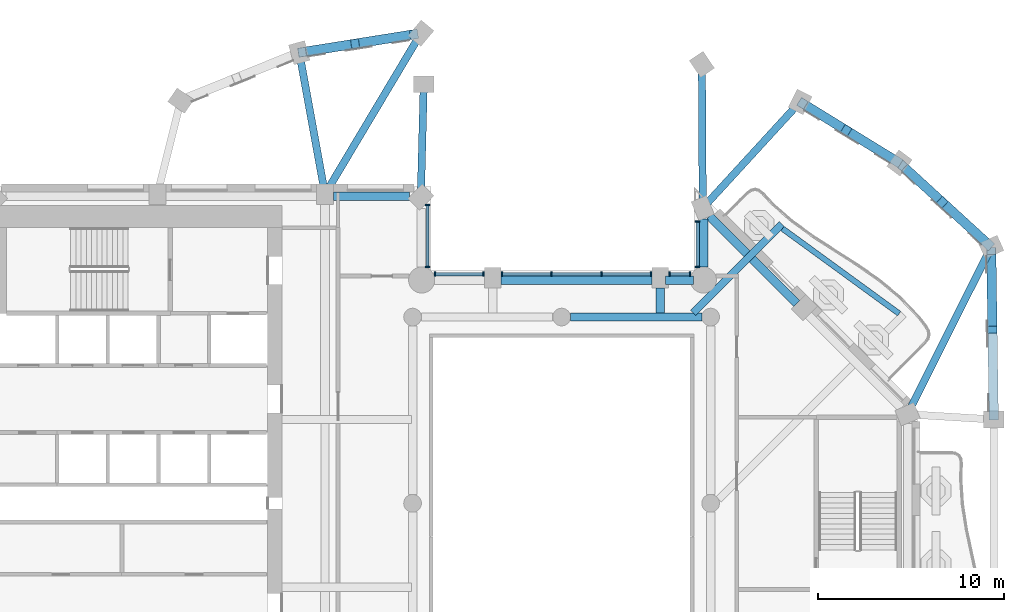
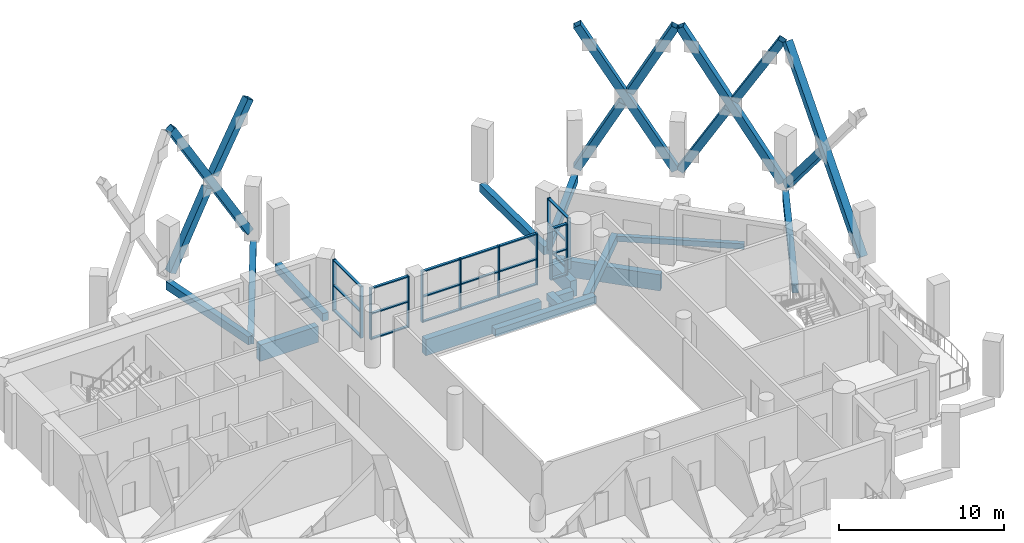
# One storey, part 2 of 16: 44 members, 15 beams, 5 elements without a shape of their own.
"""IFC4 building model written with IfcOpenShell, lengths in metres."""

from ifc_helpers import new_model, si_unit, direction, frame, origin, origin_2d, place, context, subcontext, project, spatial, rectangle, hollow_rectangle, extrude, material, material_profile, profile_set, type_object, element, aggregate, save


model = new_model("IFC4")

# Units and contexts
model_context = context("Model", 3, precision=1e-05, world=origin(), true_north=direction((0.0, 1.0)))
body_context = subcontext(model_context, "Body", "Model", "MODEL_VIEW")
ifc_project = project(units=[si_unit("LENGTHUNIT", "METRE"), si_unit("AREAUNIT", "SQUARE_METRE"), si_unit("VOLUMEUNIT", "CUBIC_METRE"), si_unit("PLANEANGLEUNIT", "RADIAN"), si_unit("MASSUNIT", "GRAM", prefix="KILO")], contexts=[model_context])

# Site, building, storey
site_placement = place(None, origin())
site = spatial("IfcSite", under=ifc_project, at=site_placement, CompositionType="ELEMENT")
building_placement = place(site_placement, origin())
building = spatial("IfcBuilding", under=site, at=building_placement, Name="Cypress Arch Tower", CompositionType="ELEMENT")
storey_placement = place(building_placement, frame((0.0, 0.0, 168.699951171875)))
storey = spatial("IfcBuildingStorey", under=building, at=storey_placement, Name="L36", CompositionType="ELEMENT", Elevation=168.699951171875)

# Beams
ifc_material_1 = material(Name="Concrete C50/60", Category="concrete")
ifc_material_profile_1 = material_profile(ifc_material_1, rectangle(XDim=0.300048828125, YDim=0.39990234375, at=origin_2d()), Name="RC 300x400")
ifc_profile_set_1 = profile_set([ifc_material_profile_1], Name="Concrete C50/60")
beam_type_1 = type_object("IfcBeamType", Name="Balcony edge beam RC 300x400 Concrete C50/60", PredefinedType="BEAM", material=ifc_profile_set_1)
beam_1_placement = place(storey_placement, frame((19.1240234375, 10.1826171875, -0.5), z_axis=(-0.808193897324, 0.588916483322, 0.0), x_axis=(-0.588916483322, -0.808193897324, 0.0)))
element("IfcBeam", 1, at=beam_1_placement, inside=storey, type_object=beam_type_1, Name="Balcony edge beam L36 B05", PredefinedType="BEAM", context=body_context, shape_type="SweptSolid", body=[
    extrude(rectangle(XDim=0.300048828125, YDim=0.39990234375, at=origin_2d()), origin(), (0.0, 0.0, 1.0), 7.754638671875),
])
ifc_material_2 = material(Name="Concrete C50/60", Category="concrete")
ifc_material_profile_2 = material_profile(ifc_material_2, rectangle(XDim=0.39990234375, YDim=0.64990234375, at=origin_2d()), Name="RC 400x650")
ifc_profile_set_2 = profile_set([ifc_material_profile_2], Name="Concrete C50/60")
beam_type_2 = type_object("IfcBeamType", Name="Cantilever beam RC 400x650 Concrete C50/60", PredefinedType="BEAM", material=ifc_profile_set_2)
beam_2_placement = place(storey_placement, frame((8.04931640625, 10.22509765625, -0.625), z_axis=(0.707106781187, 0.707106781187, 0.0), x_axis=(-0.707106781187, 0.707106781187, 0.0)))
element("IfcBeam", 2, at=beam_2_placement, inside=storey, type_object=beam_type_2, Name="Cantilever beam L36 B05 2", PredefinedType="BEAM", context=body_context, shape_type="SweptSolid", body=[
    extrude(rectangle(XDim=0.39990234375, YDim=0.64990234375, at=origin_2d()), origin(), (0.0, 0.0, 1.0), 6.74853515625),
])

# Members
ifc_material_3 = material(Name="Steel ASTM A500 Grade C", Category="steel")
ifc_material_profile_3 = material_profile(ifc_material_3, hollow_rectangle(XDim=0.508056640625, YDim=0.508056640625, WallThickness=0.017578125, at=origin_2d()), Name="HSS 20x20x3/4")
ifc_profile_set_3 = profile_set([ifc_material_profile_3], Name="Steel ASTM A500 Grade C")
member_type_1 = type_object("IfcMemberType", Name="Exoskeleton brace HSS 20x20x3/4 Steel ASTM A500 Grade C", PredefinedType="BRACE", material=ifc_profile_set_3)
member_1_placement = place(storey_placement, frame((-6.93212890625, 25.17529296875, 0.65234375), z_axis=(-0.505584670669, -0.080730521878, 0.858991690077), x_axis=(0.157680025713, -0.987490257922, 0.0)))
element("IfcMember", 3, at=member_1_placement, inside=storey, type_object=member_type_1, Name="Exoskeleton brace L36 CQ02-CQ03a", PredefinedType="BRACE", context=body_context, shape_type="SweptSolid", body=[
    extrude(hollow_rectangle(XDim=0.508056640625, YDim=0.508056640625, WallThickness=0.017578125, at=origin_2d()), origin(), (0.0, 0.0, 1.0), 11.860595703125),
])
member_2_placement = place(storey_placement, frame((-6.93212890625, 25.17529296875, 10.44775390625), z_axis=(-0.520299010999, -0.083107850994, -0.849930599671), x_axis=(0.157731437326, -0.987482047269, 0.0)))
element("IfcMember", 4, at=member_2_placement, inside=storey, type_object=member_type_1, Name="Exoskeleton brace L36 CQ02-CQ03b1", PredefinedType="BRACE", context=body_context, shape_type="SweptSolid", body=[
    extrude(hollow_rectangle(XDim=0.508056640625, YDim=0.508056640625, WallThickness=0.017578125, at=origin_2d()), origin(), (0.0, 0.0, 1.0), 5.23193359375),
])
member_3_placement = place(storey_placement, frame((-12.9287109375, 24.2177734375, 0.259521484375), z_axis=(0.491532190594, 0.078459347949, 0.867317840431), x_axis=(-0.157626526516, 0.987498799057, 0.0)))
element("IfcMember", 5, at=member_3_placement, inside=storey, type_object=member_type_1, Name="Exoskeleton brace L36 CQ02-CQ03b2", PredefinedType="BRACE", context=body_context, shape_type="SweptSolid", body=[
    extrude(hollow_rectangle(XDim=0.508056640625, YDim=0.508056640625, WallThickness=0.017578125, at=origin_2d()), origin(), (0.0, 0.0, 1.0), 5.781494140625),
])
member_4_placement = place(storey_placement, frame((24.197509765625, 4.675048828125, 0.209716796875), z_axis=(-0.009415341776, 0.640525348392, 0.767879306536), x_axis=(-0.999891981245, -0.014697817606, 0.0)))
element("IfcMember", 6, at=member_4_placement, inside=storey, type_object=member_type_1, Name="Exoskeleton brace L36 CQ14-CQ15a", PredefinedType="BRACE", context=body_context, shape_type="SweptSolid", body=[
    extrude(hollow_rectangle(XDim=0.508056640625, YDim=0.508056640625, WallThickness=0.017578125, at=origin_2d()), origin(), (0.0, 0.0, 1.0), 13.8466796875),
])
member_5_placement = place(storey_placement, frame((24.067138671875, 13.544189453125, 0.2578125), z_axis=(0.009415695854, -0.64223201051, 0.766452470378), x_axis=(0.999892546406, 0.014659319295, 0.0)))
element("IfcMember", 7, at=member_5_placement, inside=storey, type_object=member_type_1, Name="Exoskeleton brace L36 CQ14-CQ15b2", PredefinedType="BRACE", context=body_context, shape_type="SweptSolid", body=[
    extrude(hollow_rectangle(XDim=0.508056640625, YDim=0.508056640625, WallThickness=0.017578125, at=origin_2d()), origin(), (0.0, 0.0, 1.0), 6.5859375),
])
member_6_placement = place(storey_placement, frame((23.921875, 13.88916015625, 0.320068359375), z_axis=(-0.380248329101, 0.348040742928, 0.856900723234), x_axis=(-0.675176044465, -0.737656633523, 0.0)))
element("IfcMember", 8, at=member_6_placement, inside=storey, type_object=member_type_1, Name="Exoskeleton brace L36 CQ15-CQ16a", PredefinedType="BRACE", context=body_context, shape_type="SweptSolid", body=[
    extrude(hollow_rectangle(XDim=0.508056640625, YDim=0.508056640625, WallThickness=0.017578125, at=origin_2d()), origin(), (0.0, 0.0, 1.0), 12.280029296875),
])
member_7_placement = place(storey_placement, frame((23.921875, 13.88916015625, 10.780029296875), z_axis=(-0.381923937811, 0.349569899146, -0.85553199317), x_axis=(-0.675171287783, -0.737660987279, 0.0)))
element("IfcMember", 9, at=member_7_placement, inside=storey, type_object=member_type_1, Name="Exoskeleton brace L36 CQ15-CQ16b1", PredefinedType="BRACE", context=body_context, shape_type="SweptSolid", body=[
    extrude(hollow_rectangle(XDim=0.508056640625, YDim=0.508056640625, WallThickness=0.017578125, at=origin_2d()), origin(), (0.0, 0.0, 1.0), 5.674560546875),
])
member_8_placement = place(storey_placement, frame((19.25244140625, 18.1630859375, 0.25732421875), z_axis=(0.378598463486, -0.346526055601, 0.858244077309), x_axis=(0.67517120176, 0.737661066014, 0.0)))
element("IfcMember", 10, at=member_8_placement, inside=storey, type_object=member_type_1, Name="Exoskeleton brace L36 CQ15-CQ16b2", PredefinedType="BRACE", context=body_context, shape_type="SweptSolid", body=[
    extrude(hollow_rectangle(XDim=0.508056640625, YDim=0.508056640625, WallThickness=0.017578125, at=origin_2d()), origin(), (0.0, 0.0, 1.0), 5.762451171875),
])
member_9_placement = place(storey_placement, frame((19.010009765625, 18.346435546875, 0.266845703125), z_axis=(-0.418602629322, 0.257463858202, 0.870909984122), x_axis=(-0.523894090473, -0.851783412592, 0.0)))
element("IfcMember", 11, at=member_9_placement, inside=storey, type_object=member_type_1, Name="Exoskeleton brace L36 CQ16-CQ17a", PredefinedType="BRACE", context=body_context, shape_type="SweptSolid", body=[
    extrude(hollow_rectangle(XDim=0.508056640625, YDim=0.508056640625, WallThickness=0.017578125, at=origin_2d()), origin(), (0.0, 0.0, 1.0), 12.1328125),
])
member_10_placement = place(storey_placement, frame((19.010009765625, 18.346435546875, 10.833251953125), z_axis=(-0.418588062756, 0.257499032582, -0.870906586229), x_axis=(-0.523959244261, -0.851743335961, 0.0)))
element("IfcMember", 12, at=member_10_placement, inside=storey, type_object=member_type_1, Name="Exoskeleton brace L36 CQ16-CQ17b1", PredefinedType="BRACE", context=body_context, shape_type="SweptSolid", body=[
    extrude(hollow_rectangle(XDim=0.508056640625, YDim=0.508056640625, WallThickness=0.017578125, at=origin_2d()), origin(), (0.0, 0.0, 1.0), 5.61669921875),
])
member_11_placement = place(storey_placement, frame((13.93115234375, 21.47021484375, 0.2666015625), z_axis=(0.418596905239, -0.257434271595, 0.870921481382), x_axis=(0.523855606168, 0.851807081378, 0.0)))
element("IfcMember", 13, at=member_11_placement, inside=storey, type_object=member_type_1, Name="Exoskeleton brace L36 CQ16-CQ17b2", PredefinedType="BRACE", context=body_context, shape_type="SweptSolid", body=[
    extrude(hollow_rectangle(XDim=0.508056640625, YDim=0.508056640625, WallThickness=0.017578125, at=origin_2d()), origin(), (0.0, 0.0, 1.0), 5.6171875),
])

# Beams
ifc_material_4 = material(Name="Concrete C50/60", Category="concrete")
ifc_material_profile_4 = material_profile(ifc_material_4, rectangle(XDim=0.449951171875, YDim=0.550048828125, at=origin_2d()), Name="RC 450x550")
ifc_profile_set_4 = profile_set([ifc_material_profile_4], Name="Concrete C50/60")
beam_type_3 = type_object("IfcBeamType", Name="Floor beam RC 450x550 Concrete C50/60", PredefinedType="BEAM", material=ifc_profile_set_4)
beam_3_placement = place(storey_placement, frame((1.47509765625, 10.0, -0.574951171875), z_axis=(1.0, 0.0, 0.0), x_axis=(0.0, 1.0, 0.0)))
element("IfcBeam", 14, at=beam_3_placement, inside=storey, type_object=beam_type_3, Name="Floor beam L36 RB008", PredefinedType="BEAM", context=body_context, shape_type="SweptSolid", body=[
    extrude(rectangle(XDim=0.449951171875, YDim=0.550048828125, at=origin_2d()), origin(), (0.0, 0.0, 1.0), 7.0498046875),
])
beam_4_placement = place(storey_placement, frame((6.300048828125, 10.22509765625, -0.574951171875), z_axis=(0.0, 1.0, 0.0), x_axis=(-1.0, 0.0, 0.0)))
element("IfcBeam", 15, at=beam_4_placement, inside=storey, type_object=beam_type_3, Name="Floor beam L36 FB017", PredefinedType="BEAM", context=body_context, shape_type="SweptSolid", body=[
    extrude(rectangle(XDim=0.449951171875, YDim=0.550048828125, at=origin_2d()), origin(), (0.0, 0.0, 1.0), 1.324951171875),
])

# Curtain wall, members
ifc_material_5 = material(Name="Anodised aluminium, bronze finish, clear laminated double glazing", Category="aluminium")
curtain_wall_type = type_object("IfcCurtainWallType", Name="Curtain wall CW7 slot glazing", PredefinedType="NOTDEFINED", material=ifc_material_5)
curtain_wall_1_placement = place(storey_placement, origin())
curtain_wall_1 = element("IfcCurtainWall", 16, at=curtain_wall_1_placement, inside=storey, type_object=curtain_wall_type, Name="Curtain wall L36 slot B06.0", PredefinedType="NOTDEFINED")
ifc_material_6 = material(Name="Anodised aluminium, bronze finish", Category="aluminium")
ifc_material_profile_5 = material_profile(ifc_material_6, rectangle(XDim=0.239990234375, YDim=0.0849609375, at=origin_2d()), Name="Mullion 85x240")
ifc_profile_set_5 = profile_set([ifc_material_profile_5], Name="Anodised aluminium, bronze finish")
member_type_2 = type_object("IfcMemberType", Name="Mullion CW7 85x240", PredefinedType="MULLION", material=ifc_profile_set_5)
member_12_placement = place(storey_placement, frame((8.300048828125, 15.12744140625, 0.0), z_axis=(0.0, 0.0, 1.0), x_axis=(1.0, 0.0, 0.0)))
member_12 = element("IfcMember", 17, at=member_12_placement, type_object=member_type_2, Name="CW7 mullion 1", PredefinedType="MULLION", context=body_context, shape_type="SweptSolid", body=[
    extrude(rectangle(XDim=0.239990234375, YDim=0.0849609375, at=origin_2d()), origin(), (0.0, 0.0, 1.0), 3.800048828125),
])
member_13_placement = place(storey_placement, frame((8.300048828125, 12.697021484375, 0.0), z_axis=(0.0, 0.0, 1.0), x_axis=(1.0, 0.0, 0.0)))
member_13 = element("IfcMember", 18, at=member_13_placement, type_object=member_type_2, Name="CW7 mullion 2", PredefinedType="MULLION", context=body_context, shape_type="SweptSolid", body=[
    extrude(rectangle(XDim=0.239990234375, YDim=0.0849609375, at=origin_2d()), origin(), (0.0, 0.0, 1.0), 3.800048828125),
])

curtain_wall_2_placement = place(storey_placement, origin())
curtain_wall_2 = element("IfcCurtainWall", 19, at=curtain_wall_2_placement, inside=storey, type_object=curtain_wall_type, Name="Curtain wall L36 slot B07.0", PredefinedType="NOTDEFINED")
member_14_placement = place(storey_placement, frame((7.903076171875, 12.300048828125, 0.0), z_axis=(0.0, 0.0, 1.0), x_axis=(0.0, -1.0, 0.0)))
member_14 = element("IfcMember", 20, at=member_14_placement, type_object=member_type_2, Name="CW7 mullion 1", PredefinedType="MULLION", context=body_context, shape_type="SweptSolid", body=[
    extrude(rectangle(XDim=0.239990234375, YDim=0.0849609375, at=origin_2d()), origin(), (0.0, 0.0, 1.0), 3.800048828125),
])
member_15_placement = place(storey_placement, frame((6.79248046875, 12.300048828125, 0.0), z_axis=(0.0, 0.0, 1.0), x_axis=(0.0, -1.0, 0.0)))
member_15 = element("IfcMember", 21, at=member_15_placement, type_object=member_type_2, Name="CW7 mullion 2", PredefinedType="MULLION", context=body_context, shape_type="SweptSolid", body=[
    extrude(rectangle(XDim=0.239990234375, YDim=0.0849609375, at=origin_2d()), origin(), (0.0, 0.0, 1.0), 3.800048828125),
])

curtain_wall_3_placement = place(storey_placement, origin())
curtain_wall_3 = element("IfcCurtainWall", 22, at=curtain_wall_3_placement, inside=storey, type_object=curtain_wall_type, Name="Curtain wall L36 slot B07.1", PredefinedType="NOTDEFINED")
member_16_placement = place(storey_placement, frame((5.8076171875, 12.300048828125, 0.0), z_axis=(0.0, 0.0, 1.0), x_axis=(0.0, -1.0, 0.0)))
member_16 = element("IfcMember", 23, at=member_16_placement, type_object=member_type_2, Name="CW7 mullion 1", PredefinedType="MULLION", context=body_context, shape_type="SweptSolid", body=[
    extrude(rectangle(XDim=0.239990234375, YDim=0.0849609375, at=origin_2d()), origin(), (0.0, 0.0, 1.0), 3.800048828125),
])
member_17_placement = place(storey_placement, frame((3.14990234375, 12.300048828125, 0.0), z_axis=(0.0, 0.0, 1.0), x_axis=(0.0, -1.0, 0.0)))
member_17 = element("IfcMember", 24, at=member_17_placement, type_object=member_type_2, Name="CW7 mullion 2", PredefinedType="MULLION", context=body_context, shape_type="SweptSolid", body=[
    extrude(rectangle(XDim=0.239990234375, YDim=0.0849609375, at=origin_2d()), origin(), (0.0, 0.0, 1.0), 3.800048828125),
])
member_18_placement = place(storey_placement, frame((0.449951171875, 12.300048828125, 0.0), z_axis=(0.0, 0.0, 1.0), x_axis=(0.0, -1.0, 0.0)))
member_18 = element("IfcMember", 25, at=member_18_placement, type_object=member_type_2, Name="CW7 mullion 3", PredefinedType="MULLION", context=body_context, shape_type="SweptSolid", body=[
    extrude(rectangle(XDim=0.239990234375, YDim=0.0849609375, at=origin_2d()), origin(), (0.0, 0.0, 1.0), 3.800048828125),
])
member_19_placement = place(storey_placement, frame((-2.20751953125, 12.300048828125, 0.0), z_axis=(0.0, 0.0, 1.0), x_axis=(0.0, -1.0, 0.0)))
member_19 = element("IfcMember", 26, at=member_19_placement, type_object=member_type_2, Name="CW7 mullion 4", PredefinedType="MULLION", context=body_context, shape_type="SweptSolid", body=[
    extrude(rectangle(XDim=0.239990234375, YDim=0.0849609375, at=origin_2d()), origin(), (0.0, 0.0, 1.0), 3.800048828125),
])

curtain_wall_4_placement = place(storey_placement, origin())
curtain_wall_4 = element("IfcCurtainWall", 27, at=curtain_wall_4_placement, inside=storey, type_object=curtain_wall_type, Name="Curtain wall L36 slot B07.2", PredefinedType="NOTDEFINED")
member_20_placement = place(storey_placement, frame((-3.1923828125, 12.300048828125, 0.0), z_axis=(0.0, 0.0, 1.0), x_axis=(0.0, -1.0, 0.0)))
member_20 = element("IfcMember", 28, at=member_20_placement, type_object=member_type_2, Name="CW7 mullion 1", PredefinedType="MULLION", context=body_context, shape_type="SweptSolid", body=[
    extrude(rectangle(XDim=0.239990234375, YDim=0.0849609375, at=origin_2d()), origin(), (0.0, 0.0, 1.0), 3.800048828125),
])
member_21_placement = place(storey_placement, frame((-5.802978515625, 12.300048828125, 0.0), z_axis=(0.0, 0.0, 1.0), x_axis=(0.0, -1.0, 0.0)))
member_21 = element("IfcMember", 29, at=member_21_placement, type_object=member_type_2, Name="CW7 mullion 2", PredefinedType="MULLION", context=body_context, shape_type="SweptSolid", body=[
    extrude(rectangle(XDim=0.239990234375, YDim=0.0849609375, at=origin_2d()), origin(), (0.0, 0.0, 1.0), 3.800048828125),
])

curtain_wall_5_placement = place(storey_placement, origin())
curtain_wall_5 = element("IfcCurtainWall", 30, at=curtain_wall_5_placement, inside=storey, type_object=curtain_wall_type, Name="Curtain wall L36 slot B08.0", PredefinedType="NOTDEFINED")
member_22_placement = place(storey_placement, frame((-6.199951171875, 12.697021484375, 0.0), z_axis=(0.0, 0.0, 1.0), x_axis=(-1.0, 0.0, 0.0)))
member_22 = element("IfcMember", 31, at=member_22_placement, type_object=member_type_2, Name="CW7 mullion 1", PredefinedType="MULLION", context=body_context, shape_type="SweptSolid", body=[
    extrude(rectangle(XDim=0.239990234375, YDim=0.0849609375, at=origin_2d()), origin(), (0.0, 0.0, 1.0), 3.800048828125),
])
member_23_placement = place(storey_placement, frame((-6.199951171875, 16.02099609375, 0.0), z_axis=(0.0, 0.0, 1.0), x_axis=(-1.0, 0.0, 0.0)))
member_23 = element("IfcMember", 32, at=member_23_placement, type_object=member_type_2, Name="CW7 mullion 2", PredefinedType="MULLION", context=body_context, shape_type="SweptSolid", body=[
    extrude(rectangle(XDim=0.239990234375, YDim=0.0849609375, at=origin_2d()), origin(), (0.0, 0.0, 1.0), 3.800048828125),
])

# Beams
ifc_material_7 = material(Name="Concrete C50/60", Category="concrete")
ifc_material_profile_6 = material_profile(ifc_material_7, rectangle(XDim=0.39990234375, YDim=0.60009765625, at=origin_2d()), Name="RC 400x600")
ifc_profile_set_6 = profile_set([ifc_material_profile_6], Name="Concrete C50/60")
beam_type_4 = type_object("IfcBeamType", Name="Pilotis tie beam RC 400x600 Concrete C50/60", PredefinedType="BEAM", material=ifc_profile_set_6)
beam_5_placement = place(storey_placement, frame((8.53076171875, 23.564697265625, -0.599853515625), z_axis=(0.005886346529, -0.999982675312, 0.0), x_axis=(0.999982675312, 0.005886346529, 0.0)))
element("IfcBeam", 33, at=beam_5_placement, inside=storey, type_object=beam_type_4, Name="Pilotis tie beam L36 CQ00-CB12", PredefinedType="BEAM", context=body_context, shape_type="SweptSolid", body=[
    extrude(rectangle(XDim=0.39990234375, YDim=0.60009765625, at=origin_2d()), origin(), (0.0, 0.0, 1.0), 7.714599609375),
])
beam_6_placement = place(storey_placement, frame((-6.39990234375, 22.5, -0.599853515625), z_axis=(-0.02594853496, -0.999663280077, 0.0), x_axis=(0.999663280077, -0.02594853496, 0.0)))
element("IfcBeam", 34, at=beam_6_placement, inside=storey, type_object=beam_type_4, Name="Pilotis tie beam L36 CQ01-CB17", PredefinedType="BEAM", context=body_context, shape_type="SweptSolid", body=[
    extrude(rectangle(XDim=0.39990234375, YDim=0.60009765625, at=origin_2d()), origin(), (0.0, 0.0, 1.0), 6.05908203125),
])
beam_7_placement = place(storey_placement, frame((-6.54833984375, 25.236572265625, -0.599853515625), z_axis=(-0.51228050024, -0.85881819326, 0.0), x_axis=(0.85881819326, -0.51228050024, 0.0)))
element("IfcBeam", 35, at=beam_7_placement, inside=storey, type_object=beam_type_4, Name="Pilotis tie beam L36 CQ02-CB18", PredefinedType="BEAM", context=body_context, shape_type="SweptSolid", body=[
    extrude(rectangle(XDim=0.39990234375, YDim=0.60009765625, at=origin_2d()), origin(), (0.0, 0.0, 1.0), 10.05615234375),
])
beam_8_placement = place(storey_placement, frame((-13.081298828125, 24.193359375, -0.599853515625), z_axis=(0.178980083609, -0.983852697141, 0.0), x_axis=(0.983852697141, 0.178980083609, 0.0)))
element("IfcBeam", 36, at=beam_8_placement, inside=storey, type_object=beam_type_4, Name="Pilotis tie beam L36 CQ03-CB18", PredefinedType="BEAM", context=body_context, shape_type="SweptSolid", body=[
    extrude(rectangle(XDim=0.39990234375, YDim=0.60009765625, at=origin_2d()), origin(), (0.0, 0.0, 1.0), 7.7177734375),
])
beam_9_placement = place(storey_placement, frame((24.06396484375, 13.75927734375, -0.599853515625), z_axis=(-0.447602582549, -0.894232591721, 0.0), x_axis=(0.894232591721, -0.447602582549, 0.0)))
element("IfcBeam", 37, at=beam_9_placement, inside=storey, type_object=beam_type_4, Name="Pilotis tie beam L36 CQ15-CB10", PredefinedType="BEAM", context=body_context, shape_type="SweptSolid", body=[
    extrude(rectangle(XDim=0.39990234375, YDim=0.60009765625, at=origin_2d()), origin(), (0.0, 0.0, 1.0), 10.041015625),
])
beam_10_placement = place(storey_placement, frame((13.80322265625, 21.549072265625, -0.599853515625), z_axis=(-0.675950483499, -0.736947042776, 0.0), x_axis=(0.736947042776, -0.675950483499, 0.0)))
element("IfcBeam", 38, at=beam_10_placement, inside=storey, type_object=beam_type_4, Name="Pilotis tie beam L36 CQ17-CB12", PredefinedType="BEAM", context=body_context, shape_type="SweptSolid", body=[
    extrude(rectangle(XDim=0.39990234375, YDim=0.60009765625, at=origin_2d()), origin(), (0.0, 0.0, 1.0), 7.73291015625),
])
ifc_material_8 = material(Name="Concrete C50/60", Category="concrete")
ifc_material_profile_7 = material_profile(ifc_material_8, rectangle(XDim=0.449951171875, YDim=1.199951171875, at=origin_2d()), Name="RC 450x1200")
ifc_profile_set_7 = profile_set([ifc_material_profile_7], Name="Concrete C50/60")
beam_type_5 = type_object("IfcBeamType", Name="Spandrel beam RC 450x1200 Concrete C50/60", PredefinedType="SPANDREL", material=ifc_profile_set_7)
beam_11_placement = place(storey_placement, frame((13.622802734375, 10.73486328125, -1.550048828125), z_axis=(-0.707106781187, 0.707106781187, 0.0), x_axis=(-0.707106781187, -0.707106781187, 0.0)))
element("IfcBeam", 39, at=beam_11_placement, inside=storey, type_object=beam_type_5, Name="Spandrel beam L36 BB05-1", PredefinedType="SPANDREL", context=body_context, shape_type="SweptSolid", body=[
    extrude(rectangle(XDim=0.449951171875, YDim=1.199951171875, at=origin_2d()), origin(), (0.0, 0.0, 1.0), 6.610595703125),
])
beam_12_placement = place(storey_placement, frame((8.625, 15.275146484375, -1.550048828125), z_axis=(0.0, -1.0, 0.0), x_axis=(1.0, 0.0, 0.0)))
element("IfcBeam", 40, at=beam_12_placement, inside=storey, type_object=beam_type_5, Name="Spandrel beam L36 BB06-0", PredefinedType="SPANDREL", context=body_context, shape_type="SweptSolid", body=[
    extrude(rectangle(XDim=0.449951171875, YDim=1.199951171875, at=origin_2d()), origin(), (0.0, 0.0, 1.0), 2.587646484375),
])
beam_13_placement = place(storey_placement, frame((8.081298828125, 11.97509765625, -1.550048828125), z_axis=(-1.0, 0.0, 0.0), x_axis=(0.0, -1.0, 0.0)))
element("IfcBeam", 41, at=beam_13_placement, inside=storey, type_object=beam_type_5, Name="Spandrel beam L36 BB07-0", PredefinedType="SPANDREL", context=body_context, shape_type="SweptSolid", body=[
    extrude(rectangle(XDim=0.449951171875, YDim=1.199951171875, at=origin_2d()), origin(), (0.0, 0.0, 1.0), 1.5),
])
beam_14_placement = place(storey_placement, frame((5.85009765625, 11.97509765625, -1.550048828125), z_axis=(-1.0, 0.0, 0.0), x_axis=(0.0, -1.0, 0.0)))
element("IfcBeam", 42, at=beam_14_placement, inside=storey, type_object=beam_type_5, Name="Spandrel beam L36 BB07-1", PredefinedType="SPANDREL", context=body_context, shape_type="SweptSolid", body=[
    extrude(rectangle(XDim=0.449951171875, YDim=1.199951171875, at=origin_2d()), origin(), (0.0, 0.0, 1.0), 8.10009765625),
])
beam_15_placement = place(storey_placement, frame((-7.161376953125, 16.47509765625, -1.550048828125), z_axis=(-1.0, 0.0, 0.0), x_axis=(0.0, -1.0, 0.0)))
element("IfcBeam", 43, at=beam_15_placement, inside=storey, type_object=beam_type_5, Name="Spandrel beam L36 BB09-0", PredefinedType="SPANDREL", context=body_context, shape_type="SweptSolid", body=[
    extrude(rectangle(XDim=0.449951171875, YDim=1.199951171875, at=origin_2d()), origin(), (0.0, 0.0, 1.0), 4.088623046875),
])

# Member
ifc_material_9 = material(Name="Anodised aluminium, bronze finish", Category="aluminium")
ifc_material_profile_8 = material_profile(ifc_material_9, rectangle(XDim=0.179931640625, YDim=0.0849609375, at=origin_2d()), Name="Transom 85x180")
ifc_profile_set_8 = profile_set([ifc_material_profile_8], Name="Anodised aluminium, bronze finish")
member_type_3 = type_object("IfcMemberType", Name="Transom CW7 85x180", PredefinedType="USERDEFINED", material=ifc_profile_set_8)
member_24_placement = place(storey_placement, frame((8.300048828125, 15.0849609375, 0.04248046875), z_axis=(0.0, -1.0, 0.0), x_axis=(1.0, 0.0, 0.0)))
member_24 = element("IfcMember", 44, at=member_24_placement, type_object=member_type_3, Name="CW7 transom 1.1", ObjectType="TRANSOM", PredefinedType="USERDEFINED", context=body_context, shape_type="SweptSolid", body=[
    extrude(rectangle(XDim=0.179931640625, YDim=0.0849609375, at=origin_2d()), origin(), (0.0, 0.0, 1.0), 2.345458984375),
])

member_25_placement = place(storey_placement, frame((8.300048828125, 15.0849609375, 1.900146484375), z_axis=(0.0, -1.0, 0.0), x_axis=(1.0, 0.0, 0.0)))
member_25 = element("IfcMember", 45, at=member_25_placement, type_object=member_type_3, Name="CW7 transom 1.2", ObjectType="TRANSOM", PredefinedType="USERDEFINED", context=body_context, shape_type="SweptSolid", body=[
    extrude(rectangle(XDim=0.179931640625, YDim=0.0849609375, at=origin_2d()), origin(), (0.0, 0.0, 1.0), 2.345458984375),
])

member_26_placement = place(storey_placement, frame((8.300048828125, 15.0849609375, 3.757568359375), z_axis=(0.0, -1.0, 0.0), x_axis=(1.0, 0.0, 0.0)))
member_26 = element("IfcMember", 46, at=member_26_placement, type_object=member_type_3, Name="CW7 transom 1.3", ObjectType="TRANSOM", PredefinedType="USERDEFINED", context=body_context, shape_type="SweptSolid", body=[
    extrude(rectangle(XDim=0.179931640625, YDim=0.0849609375, at=origin_2d()), origin(), (0.0, 0.0, 1.0), 2.345458984375),
])

aggregate(curtain_wall_1, [member_12, member_13, member_24, member_25, member_26])

member_27_placement = place(storey_placement, frame((7.8603515625, 12.300048828125, 0.04248046875), z_axis=(-1.0, 0.0, 0.0), x_axis=(0.0, -1.0, 0.0)))
member_27 = element("IfcMember", 47, at=member_27_placement, type_object=member_type_3, Name="CW7 transom 1.1", ObjectType="TRANSOM", PredefinedType="USERDEFINED", context=body_context, shape_type="SweptSolid", body=[
    extrude(rectangle(XDim=0.179931640625, YDim=0.0849609375, at=origin_2d()), origin(), (0.0, 0.0, 1.0), 1.025390625),
])

member_28_placement = place(storey_placement, frame((7.8603515625, 12.300048828125, 1.900146484375), z_axis=(-1.0, 0.0, 0.0), x_axis=(0.0, -1.0, 0.0)))
member_28 = element("IfcMember", 48, at=member_28_placement, type_object=member_type_3, Name="CW7 transom 1.2", ObjectType="TRANSOM", PredefinedType="USERDEFINED", context=body_context, shape_type="SweptSolid", body=[
    extrude(rectangle(XDim=0.179931640625, YDim=0.0849609375, at=origin_2d()), origin(), (0.0, 0.0, 1.0), 1.025390625),
])

member_29_placement = place(storey_placement, frame((7.8603515625, 12.300048828125, 3.757568359375), z_axis=(-1.0, 0.0, 0.0), x_axis=(0.0, -1.0, 0.0)))
member_29 = element("IfcMember", 49, at=member_29_placement, type_object=member_type_3, Name="CW7 transom 1.3", ObjectType="TRANSOM", PredefinedType="USERDEFINED", context=body_context, shape_type="SweptSolid", body=[
    extrude(rectangle(XDim=0.179931640625, YDim=0.0849609375, at=origin_2d()), origin(), (0.0, 0.0, 1.0), 1.025390625),
])

aggregate(curtain_wall_2, [member_14, member_15, member_27, member_28, member_29])

member_30_placement = place(storey_placement, frame((5.764892578125, 12.300048828125, 0.04248046875), z_axis=(-1.0, 0.0, 0.0), x_axis=(0.0, -1.0, 0.0)))
member_30 = element("IfcMember", 50, at=member_30_placement, type_object=member_type_3, Name="CW7 transom 1.1", ObjectType="TRANSOM", PredefinedType="USERDEFINED", context=body_context, shape_type="SweptSolid", body=[
    extrude(rectangle(XDim=0.179931640625, YDim=0.0849609375, at=origin_2d()), origin(), (0.0, 0.0, 1.0), 2.572509765625),
])

member_31_placement = place(storey_placement, frame((5.764892578125, 12.300048828125, 1.900146484375), z_axis=(-1.0, 0.0, 0.0), x_axis=(0.0, -1.0, 0.0)))
member_31 = element("IfcMember", 51, at=member_31_placement, type_object=member_type_3, Name="CW7 transom 1.2", ObjectType="TRANSOM", PredefinedType="USERDEFINED", context=body_context, shape_type="SweptSolid", body=[
    extrude(rectangle(XDim=0.179931640625, YDim=0.0849609375, at=origin_2d()), origin(), (0.0, 0.0, 1.0), 2.572509765625),
])

member_32_placement = place(storey_placement, frame((5.764892578125, 12.300048828125, 3.757568359375), z_axis=(-1.0, 0.0, 0.0), x_axis=(0.0, -1.0, 0.0)))
member_32 = element("IfcMember", 52, at=member_32_placement, type_object=member_type_3, Name="CW7 transom 1.3", ObjectType="TRANSOM", PredefinedType="USERDEFINED", context=body_context, shape_type="SweptSolid", body=[
    extrude(rectangle(XDim=0.179931640625, YDim=0.0849609375, at=origin_2d()), origin(), (0.0, 0.0, 1.0), 2.572509765625),
])

member_33_placement = place(storey_placement, frame((3.107421875, 12.300048828125, 0.04248046875), z_axis=(-1.0, 0.0, 0.0), x_axis=(0.0, -1.0, 0.0)))
member_33 = element("IfcMember", 53, at=member_33_placement, type_object=member_type_3, Name="CW7 transom 2.1", ObjectType="TRANSOM", PredefinedType="USERDEFINED", context=body_context, shape_type="SweptSolid", body=[
    extrude(rectangle(XDim=0.179931640625, YDim=0.0849609375, at=origin_2d()), origin(), (0.0, 0.0, 1.0), 2.614990234375),
])

member_34_placement = place(storey_placement, frame((3.107421875, 12.300048828125, 1.900146484375), z_axis=(-1.0, 0.0, 0.0), x_axis=(0.0, -1.0, 0.0)))
member_34 = element("IfcMember", 54, at=member_34_placement, type_object=member_type_3, Name="CW7 transom 2.2", ObjectType="TRANSOM", PredefinedType="USERDEFINED", context=body_context, shape_type="SweptSolid", body=[
    extrude(rectangle(XDim=0.179931640625, YDim=0.0849609375, at=origin_2d()), origin(), (0.0, 0.0, 1.0), 2.614990234375),
])

member_35_placement = place(storey_placement, frame((3.107421875, 12.300048828125, 3.757568359375), z_axis=(-1.0, 0.0, 0.0), x_axis=(0.0, -1.0, 0.0)))
member_35 = element("IfcMember", 55, at=member_35_placement, type_object=member_type_3, Name="CW7 transom 2.3", ObjectType="TRANSOM", PredefinedType="USERDEFINED", context=body_context, shape_type="SweptSolid", body=[
    extrude(rectangle(XDim=0.179931640625, YDim=0.0849609375, at=origin_2d()), origin(), (0.0, 0.0, 1.0), 2.614990234375),
])

member_36_placement = place(storey_placement, frame((0.407470703125, 12.300048828125, 0.04248046875), z_axis=(-1.0, 0.0, 0.0), x_axis=(0.0, -1.0, 0.0)))
member_36 = element("IfcMember", 56, at=member_36_placement, type_object=member_type_3, Name="CW7 transom 3.1", ObjectType="TRANSOM", PredefinedType="USERDEFINED", context=body_context, shape_type="SweptSolid", body=[
    extrude(rectangle(XDim=0.179931640625, YDim=0.0849609375, at=origin_2d()), origin(), (0.0, 0.0, 1.0), 2.572509765625),
])

member_37_placement = place(storey_placement, frame((0.407470703125, 12.300048828125, 1.900146484375), z_axis=(-1.0, 0.0, 0.0), x_axis=(0.0, -1.0, 0.0)))
member_37 = element("IfcMember", 57, at=member_37_placement, type_object=member_type_3, Name="CW7 transom 3.2", ObjectType="TRANSOM", PredefinedType="USERDEFINED", context=body_context, shape_type="SweptSolid", body=[
    extrude(rectangle(XDim=0.179931640625, YDim=0.0849609375, at=origin_2d()), origin(), (0.0, 0.0, 1.0), 2.572509765625),
])

member_38_placement = place(storey_placement, frame((0.407470703125, 12.300048828125, 3.757568359375), z_axis=(-1.0, 0.0, 0.0), x_axis=(0.0, -1.0, 0.0)))
member_38 = element("IfcMember", 58, at=member_38_placement, type_object=member_type_3, Name="CW7 transom 3.3", ObjectType="TRANSOM", PredefinedType="USERDEFINED", context=body_context, shape_type="SweptSolid", body=[
    extrude(rectangle(XDim=0.179931640625, YDim=0.0849609375, at=origin_2d()), origin(), (0.0, 0.0, 1.0), 2.572509765625),
])

aggregate(curtain_wall_3, [member_16, member_17, member_18, member_19, member_30, member_31, member_32, member_33, member_34, member_35, member_36, member_37, member_38])

member_39_placement = place(storey_placement, frame((-3.235107421875, 12.300048828125, 0.04248046875), z_axis=(-1.0, 0.0, 0.0), x_axis=(0.0, -1.0, 0.0)))
member_39 = element("IfcMember", 59, at=member_39_placement, type_object=member_type_3, Name="CW7 transom 1.1", ObjectType="TRANSOM", PredefinedType="USERDEFINED", context=body_context, shape_type="SweptSolid", body=[
    extrude(rectangle(XDim=0.179931640625, YDim=0.0849609375, at=origin_2d()), origin(), (0.0, 0.0, 1.0), 2.525390625),
])

member_40_placement = place(storey_placement, frame((-3.235107421875, 12.300048828125, 1.900146484375), z_axis=(-1.0, 0.0, 0.0), x_axis=(0.0, -1.0, 0.0)))
member_40 = element("IfcMember", 60, at=member_40_placement, type_object=member_type_3, Name="CW7 transom 1.2", ObjectType="TRANSOM", PredefinedType="USERDEFINED", context=body_context, shape_type="SweptSolid", body=[
    extrude(rectangle(XDim=0.179931640625, YDim=0.0849609375, at=origin_2d()), origin(), (0.0, 0.0, 1.0), 2.525390625),
])

member_41_placement = place(storey_placement, frame((-3.235107421875, 12.300048828125, 3.757568359375), z_axis=(-1.0, 0.0, 0.0), x_axis=(0.0, -1.0, 0.0)))
member_41 = element("IfcMember", 61, at=member_41_placement, type_object=member_type_3, Name="CW7 transom 1.3", ObjectType="TRANSOM", PredefinedType="USERDEFINED", context=body_context, shape_type="SweptSolid", body=[
    extrude(rectangle(XDim=0.179931640625, YDim=0.0849609375, at=origin_2d()), origin(), (0.0, 0.0, 1.0), 2.525390625),
])

aggregate(curtain_wall_4, [member_20, member_21, member_39, member_40, member_41])

member_42_placement = place(storey_placement, frame((-6.199951171875, 12.739501953125, 0.04248046875), z_axis=(0.0, 1.0, 0.0), x_axis=(-1.0, 0.0, 0.0)))
member_42 = element("IfcMember", 62, at=member_42_placement, type_object=member_type_3, Name="CW7 transom 1.1", ObjectType="TRANSOM", PredefinedType="USERDEFINED", context=body_context, shape_type="SweptSolid", body=[
    extrude(rectangle(XDim=0.179931640625, YDim=0.0849609375, at=origin_2d()), origin(), (0.0, 0.0, 1.0), 3.239013671875),
])

member_43_placement = place(storey_placement, frame((-6.199951171875, 12.739501953125, 1.900146484375), z_axis=(0.0, 1.0, 0.0), x_axis=(-1.0, 0.0, 0.0)))
member_43 = element("IfcMember", 63, at=member_43_placement, type_object=member_type_3, Name="CW7 transom 1.2", ObjectType="TRANSOM", PredefinedType="USERDEFINED", context=body_context, shape_type="SweptSolid", body=[
    extrude(rectangle(XDim=0.179931640625, YDim=0.0849609375, at=origin_2d()), origin(), (0.0, 0.0, 1.0), 3.239013671875),
])

member_44_placement = place(storey_placement, frame((-6.199951171875, 12.739501953125, 3.757568359375), z_axis=(0.0, 1.0, 0.0), x_axis=(-1.0, 0.0, 0.0)))
member_44 = element("IfcMember", 64, at=member_44_placement, type_object=member_type_3, Name="CW7 transom 1.3", ObjectType="TRANSOM", PredefinedType="USERDEFINED", context=body_context, shape_type="SweptSolid", body=[
    extrude(rectangle(XDim=0.179931640625, YDim=0.0849609375, at=origin_2d()), origin(), (0.0, 0.0, 1.0), 3.239013671875),
])

aggregate(curtain_wall_5, [member_22, member_23, member_42, member_43, member_44])

save(model, "model.ifc")
